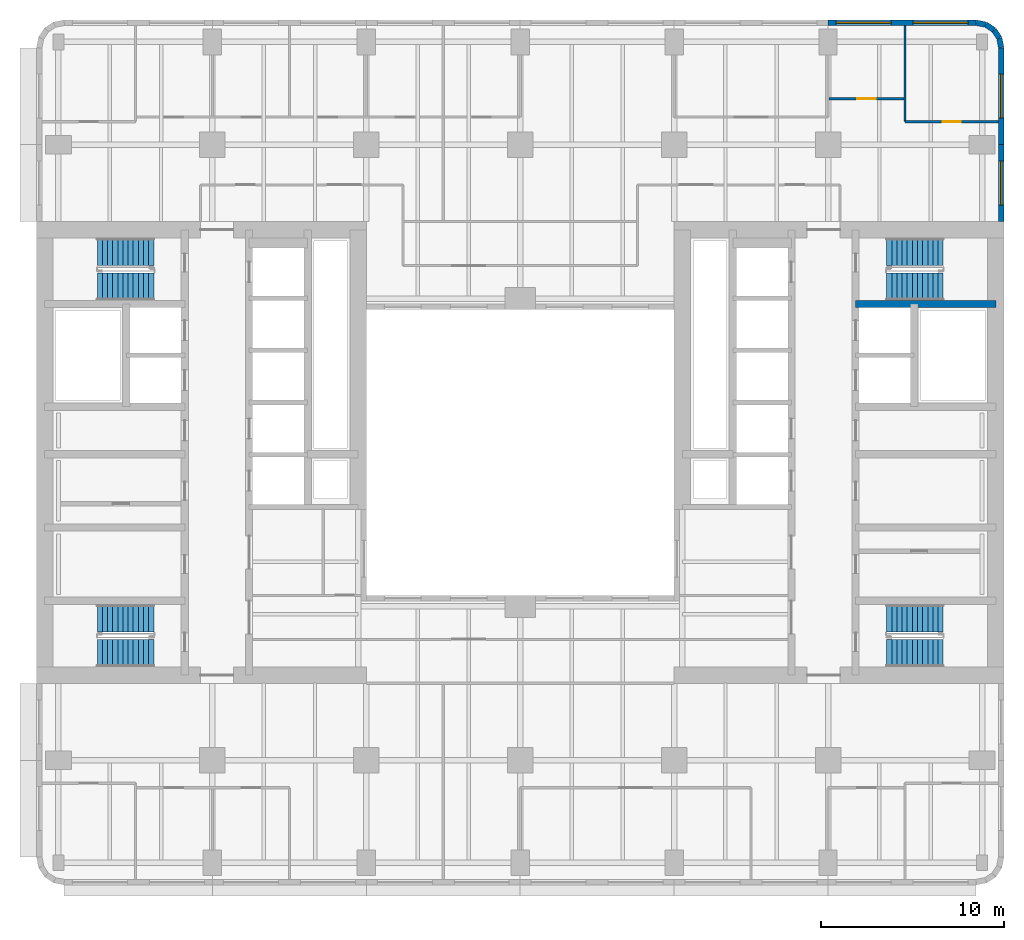
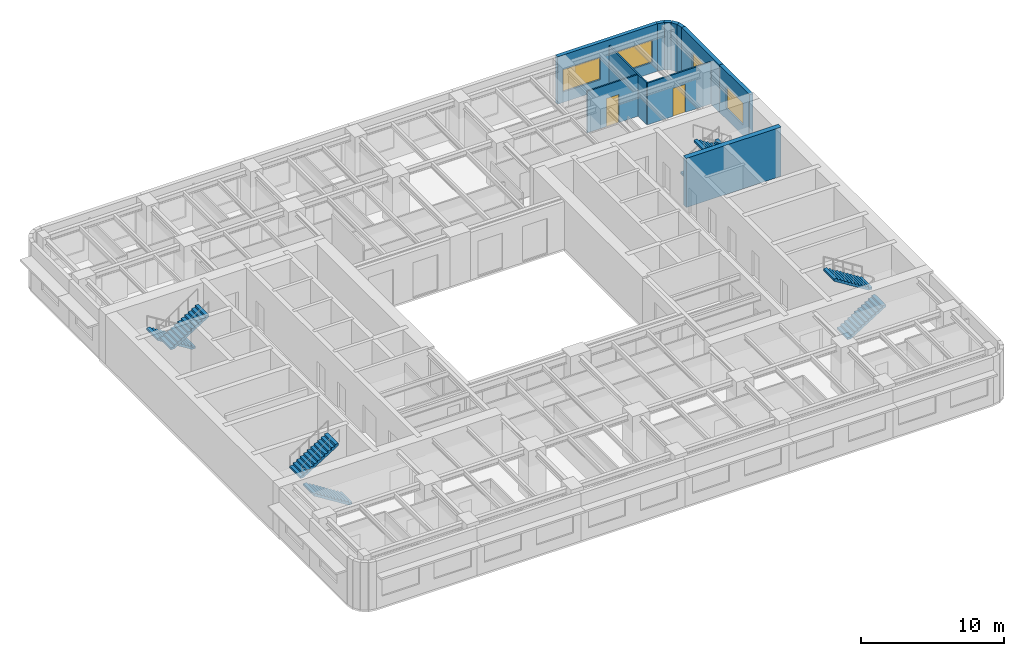
# One storey, part 8 of 11: 11 walls, 8 stair flights, 4 windows, 2 doors, 6 openings, 4 elements without a shape of their own.
"""IFC4 building model written with IfcOpenShell, lengths in metres."""

from ifc_helpers import new_model, si_unit, direction, frame, frame_2d, origin, place, context, subcontext, project, spatial, polyline, rectangle, outline, extrude, material, layer, layer_set, type_object, element, fill, aggregate, save


model = new_model("IFC4")

# Units and contexts
model_context = context("Model", 3, precision=1e-05, world=origin(), true_north=direction((0.0, 1.0)))
body_context = subcontext(model_context, "Body", "Model", "MODEL_VIEW")
ifc_project = project(units=[si_unit("LENGTHUNIT", "METRE"), si_unit("AREAUNIT", "SQUARE_METRE"), si_unit("VOLUMEUNIT", "CUBIC_METRE"), si_unit("PLANEANGLEUNIT", "RADIAN"), si_unit("MASSUNIT", "GRAM", prefix="KILO")], contexts=[model_context])

# Site, building, storey
site_placement = place(None, origin())
site = spatial("IfcSite", under=ifc_project, at=site_placement, CompositionType="ELEMENT")
building_placement = place(site_placement, origin())
building = spatial("IfcBuilding", under=site, at=building_placement, Name="Claustro Exchange Tower", CompositionType="ELEMENT")
storey_placement = place(building_placement, frame((0.0, 0.0, 147.0)))
storey = spatial("IfcBuildingStorey", under=building, at=storey_placement, Name="L33", CompositionType="ELEMENT", Elevation=147.0)

# Wall, opening, door
ifc_material_1 = material(Name="Laminated glass in aluminium frame", Category="aluminium")
ifc_layer_1 = layer(ifc_material_1, 0.1201171875)
ifc_layer_set_1 = layer_set([ifc_layer_1], Name="Laminated glass in aluminium frame")
wall_type_1 = type_object("IfcWallType", Name="P2 120 glazed partition", PredefinedType="PARTITIONING", material=ifc_layer_set_1)
wall_1_placement = place(storey_placement, frame((42.05810546875, 44.5, 0.0), z_axis=(0.0, 0.0, 1.0), x_axis=(1.0, 0.0, 0.0)))
wall_1 = element("IfcWall", 1, at=wall_1_placement, inside=storey, type_object=wall_type_1, Name="Partition P2 L33", PredefinedType="PARTITIONING", context=body_context, shape_type="SweptSolid", body=[
    extrude(rectangle(XDim=4.083984375, YDim=0.1201171875, at=frame_2d((2.0419921875, 0.0))), origin(), (0.0, 0.0, 1.0), 3.550048828125),
])
opening_1_placement = place(wall_1_placement, frame((1.5419921875, 0.0, 0.0)))
opening_1 = element("IfcOpeningElement", 2, at=opening_1_placement, cuts=wall_1, Name="Opening D7", PredefinedType="OPENING", context=body_context, shape_type="SweptSolid", body=[
    extrude(rectangle(XDim=1.0, YDim=2.39990234375, at=frame_2d((0.5, 1.199951171875))), frame((0.0, 0.070068359375, 0.0), z_axis=(0.0, -1.0, 0.0), x_axis=(1.0, 0.0, 0.0)), (0.0, 0.0, 1.0), 0.14013671875),
])
ifc_material_2 = material(Name="Glass door in aluminium frame", Category="aluminium")
door_type = type_object("IfcDoorType", Name="D7 1000 x 2400 glazed door", OperationType="SINGLE_SWING_LEFT", PredefinedType="DOOR", material=ifc_material_2)
door_1_placement = place(opening_1_placement, origin())
door_1 = element("IfcDoor", 3, at=door_1_placement, inside=storey, type_object=door_type, Name="Door D7 L33", OperationType="SINGLE_SWING_LEFT", OverallHeight=2.39990234375, OverallWidth=1.0, PredefinedType="DOOR", context=body_context, shape_type="SweptSolid", body=[
    extrude(rectangle(XDim=1.0, YDim=2.39990234375, at=frame_2d((0.5, 1.199951171875))), frame((0.0, 0.02490234375, 0.0), z_axis=(0.0, -1.0, 0.0), x_axis=(1.0, 0.0, 0.0)), (0.0, 0.0, 1.0), 0.050048828125),
])
fill(opening_1, door_1)

wall_2_placement = place(storey_placement, frame((46.199951171875, 43.25, 0.0), z_axis=(0.0, 0.0, 1.0), x_axis=(1.0, 0.0, 0.0)))
wall_2 = element("IfcWall", 4, at=wall_2_placement, inside=storey, type_object=wall_type_1, Name="Partition P2 L33", PredefinedType="PARTITIONING", context=body_context, shape_type="SweptSolid", body=[
    extrude(rectangle(XDim=5.10205078125, YDim=0.1201171875, at=frame_2d((2.551025390625, 0.0))), origin(), (0.0, 0.0, 1.0), 3.56005859375),
])
opening_2_placement = place(wall_2_placement, frame((2.050048828125, 0.0, 0.0)))
opening_2 = element("IfcOpeningElement", 5, at=opening_2_placement, cuts=wall_2, Name="Opening D7", PredefinedType="OPENING", context=body_context, shape_type="SweptSolid", body=[
    extrude(rectangle(XDim=1.0, YDim=2.39990234375, at=frame_2d((0.5, 1.199951171875))), frame((0.0, 0.070068359375, 0.0), z_axis=(0.0, -1.0, 0.0), x_axis=(1.0, 0.0, 0.0)), (0.0, 0.0, 1.0), 0.14013671875),
])
door_2_placement = place(opening_2_placement, origin())
door_2 = element("IfcDoor", 6, at=door_2_placement, inside=storey, type_object=door_type, Name="Door D7 L33", OperationType="SINGLE_SWING_LEFT", OverallHeight=2.39990234375, OverallWidth=1.0, PredefinedType="DOOR", context=body_context, shape_type="SweptSolid", body=[
    extrude(rectangle(XDim=1.0, YDim=2.39990234375, at=frame_2d((0.5, 1.199951171875))), frame((0.0, 0.02490234375, 0.0), z_axis=(0.0, -1.0, 0.0), x_axis=(1.0, 0.0, 0.0)), (0.0, 0.0, 1.0), 0.050048828125),
])
fill(opening_2, door_2)

# Wall
wall_3_placement = place(storey_placement, frame((46.199951171875, 43.25, 0.0), z_axis=(0.0, 0.0, 1.0), x_axis=(0.0, 1.0, 0.0)))
element("IfcWall", 7, at=wall_3_placement, inside=storey, type_object=wall_type_1, Name="Partition P2 L33", PredefinedType="PARTITIONING", context=body_context, shape_type="SweptSolid", body=[
    extrude(rectangle(XDim=5.251953125, YDim=0.1201171875, at=frame_2d((2.6259765625, 0.0))), origin(), (0.0, 0.0, 1.0), 3.56005859375),
])

# Wall, openings, windows
ifc_material_3 = material(Name="Concrete HA-40 (C40/50), precast, white cement, acid-etched", Category="concrete")
ifc_layer_2 = layer(ifc_material_3, 0.300048828125)
ifc_layer_set_2 = layer_set([ifc_layer_2], Name="Concrete HA-40 (C40/50), precast, white cement, acid-etched")
wall_type_2 = type_object("IfcWallType", Name="PC1 300 precast concrete pier panel", PredefinedType="SOLIDWALL", material=ifc_layer_set_2)
wall_4_placement = place(storey_placement, frame((42.0, 48.64990234375, 0.0), z_axis=(0.0, 0.0, 1.0), x_axis=(1.0, 0.0, 0.0)))
wall_4 = element("IfcWall", 8, at=wall_4_placement, inside=storey, type_object=wall_type_2, Name="Precast pier panel PC1 L33", PredefinedType="SOLIDWALL", context=body_context, shape_type="SweptSolid", body=[
    extrude(rectangle(XDim=8.085205078125, YDim=0.300048828125, at=frame_2d((4.04248046875, 0.0))), origin(), (0.0, 0.0, 1.0), 4.050048828125),
])
opening_3_placement = place(wall_4_placement, frame((0.442626953125, 0.0, 0.89990234375)))
opening_3 = element("IfcOpeningElement", 9, at=opening_3_placement, cuts=wall_4, Name="Opening W1", PredefinedType="OPENING", context=body_context, shape_type="SweptSolid", body=[
    extrude(rectangle(XDim=3.0, YDim=1.89990234375, at=frame_2d((1.5, 0.949951171875))), frame((0.0, 0.159912109375, 0.0), z_axis=(0.0, -1.0, 0.0), x_axis=(1.0, 0.0, 0.0)), (0.0, 0.0, 1.0), 0.320068359375),
])
opening_4_placement = place(wall_4_placement, frame((4.642578125, 0.0, 0.89990234375)))
opening_4 = element("IfcOpeningElement", 10, at=opening_4_placement, cuts=wall_4, Name="Opening W1", PredefinedType="OPENING", context=body_context, shape_type="SweptSolid", body=[
    extrude(rectangle(XDim=3.0, YDim=1.89990234375, at=frame_2d((1.5, 0.949951171875))), frame((0.0, 0.159912109375, 0.0), z_axis=(0.0, -1.0, 0.0), x_axis=(1.0, 0.0, 0.0)), (0.0, 0.0, 1.0), 0.320068359375),
])
ifc_material_4 = material(Name="Aluminium frame, clear double glazing", Category="aluminium")
window_type_1 = type_object("IfcWindowType", Name="W1 3000 x 1900 window", PartitioningType="SINGLE_PANEL", PredefinedType="WINDOW", material=ifc_material_4)
window_1_placement = place(opening_3_placement, origin())
window_1 = element("IfcWindow", 11, at=window_1_placement, inside=storey, type_object=window_type_1, Name="Window W1 L33", OverallHeight=1.89990234375, OverallWidth=3.0, PartitioningType="SINGLE_PANEL", PredefinedType="WINDOW", context=body_context, shape_type="SweptSolid", body=[
    extrude(rectangle(XDim=3.0, YDim=1.89990234375, at=frame_2d((1.5, 0.949951171875))), frame((0.0, 0.030029296875, 0.0), z_axis=(0.0, -1.0, 0.0), x_axis=(1.0, 0.0, 0.0)), (0.0, 0.0, 1.0), 0.06005859375),
])
fill(opening_3, window_1)
window_2_placement = place(opening_4_placement, origin())
window_2 = element("IfcWindow", 12, at=window_2_placement, inside=storey, type_object=window_type_1, Name="Window W1 L33", OverallHeight=1.89990234375, OverallWidth=3.0, PartitioningType="SINGLE_PANEL", PredefinedType="WINDOW", context=body_context, shape_type="SweptSolid", body=[
    extrude(rectangle(XDim=3.0, YDim=1.89990234375, at=frame_2d((1.5, 0.949951171875))), frame((0.0, 0.030029296875, 0.0), z_axis=(0.0, -1.0, 0.0), x_axis=(1.0, 0.0, 0.0)), (0.0, 0.0, 1.0), 0.06005859375),
])
fill(opening_4, window_2)

# Walls
wall_5_placement = place(storey_placement, frame((50.085205078125, 48.64990234375, 0.0), z_axis=(0.0, 0.0, 1.0), x_axis=(0.980788534345, -0.195073962632, 0.0)))
element("IfcWall", 13, at=wall_5_placement, inside=storey, type_object=wall_type_2, Name="Precast pier panel PC1 L33", PredefinedType="SOLIDWALL", context=body_context, shape_type="SweptSolid", body=[
    extrude(rectangle(XDim=0.540771484375, YDim=0.300048828125, at=frame_2d((0.2705078125, 0.0))), origin(), (0.0, 0.0, 1.0), 4.050048828125),
])
wall_6_placement = place(storey_placement, frame((50.615478515625, 48.54443359375, 0.0), z_axis=(0.0, 0.0, 1.0), x_axis=(0.831692711774, -0.555236195849, 0.0)))
element("IfcWall", 14, at=wall_6_placement, inside=storey, type_object=wall_type_2, Name="Precast pier panel PC1 L33", PredefinedType="SOLIDWALL", context=body_context, shape_type="SweptSolid", body=[
    extrude(rectangle(XDim=0.525390625, YDim=0.300048828125, at=frame_2d((0.2626953125, 0.0))), origin(), (0.0, 0.0, 1.0), 4.050048828125),
])
wall_7_placement = place(storey_placement, frame((51.052490234375, 48.252685546875, 0.0), z_axis=(0.0, 0.0, 1.0), x_axis=(0.55534295404, -0.831621430339, 0.0)))
element("IfcWall", 15, at=wall_7_placement, inside=storey, type_object=wall_type_2, Name="Precast pier panel PC1 L33", PredefinedType="SOLIDWALL", context=body_context, shape_type="SweptSolid", body=[
    extrude(rectangle(XDim=0.52587890625, YDim=0.300048828125, at=frame_2d((0.262939453125, 0.0))), origin(), (0.0, 0.0, 1.0), 4.050048828125),
])
wall_8_placement = place(storey_placement, frame((51.344482421875, 47.8154296875, 0.0), z_axis=(0.0, 0.0, 1.0), x_axis=(0.195073962632, -0.980788534345, 0.0)))
element("IfcWall", 16, at=wall_8_placement, inside=storey, type_object=wall_type_2, Name="Precast pier panel PC1 L33", PredefinedType="SOLIDWALL", context=body_context, shape_type="SweptSolid", body=[
    extrude(rectangle(XDim=0.540771484375, YDim=0.300048828125, at=frame_2d((0.2705078125, 0.0))), origin(), (0.0, 0.0, 1.0), 4.050048828125),
])

# Wall, opening, window
wall_9_placement = place(storey_placement, frame((51.449951171875, 47.28515625, 0.0), z_axis=(0.0, 0.0, 1.0), x_axis=(0.0, -1.0, 0.0)))
wall_9 = element("IfcWall", 17, at=wall_9_placement, inside=storey, type_object=wall_type_2, Name="Precast pier panel PC1 L33", PredefinedType="SOLIDWALL", context=body_context, shape_type="SweptSolid", body=[
    extrude(rectangle(XDim=5.28515625, YDim=0.300048828125, at=frame_2d((2.642578125, 0.0))), origin(), (0.0, 0.0, 1.0), 4.050048828125),
])
opening_5_placement = place(wall_9_placement, frame((1.442626953125, 0.0, 0.89990234375)))
opening_5 = element("IfcOpeningElement", 18, at=opening_5_placement, cuts=wall_9, Name="Opening W2", PredefinedType="OPENING", context=body_context, shape_type="SweptSolid", body=[
    extrude(rectangle(XDim=2.39990234375, YDim=1.89990234375, at=frame_2d((1.199951171875, 0.949951171875))), frame((0.0, 0.159912109375, 0.0), z_axis=(0.0, -1.0, 0.0), x_axis=(1.0, 0.0, 0.0)), (0.0, 0.0, 1.0), 0.320068359375),
])
ifc_material_5 = material(Name="Aluminium frame, clear double glazing", Category="aluminium")
window_type_2 = type_object("IfcWindowType", Name="W2 2400 x 1900 window", PartitioningType="SINGLE_PANEL", PredefinedType="WINDOW", material=ifc_material_5)
window_3_placement = place(opening_5_placement, origin())
window_3 = element("IfcWindow", 19, at=window_3_placement, inside=storey, type_object=window_type_2, Name="Window W2 L33", OverallHeight=1.89990234375, OverallWidth=2.39990234375, PartitioningType="SINGLE_PANEL", PredefinedType="WINDOW", context=body_context, shape_type="SweptSolid", body=[
    extrude(rectangle(XDim=2.39990234375, YDim=1.89990234375, at=frame_2d((1.199951171875, 0.949951171875))), frame((0.0, 0.030029296875, 0.0), z_axis=(0.0, -1.0, 0.0), x_axis=(1.0, 0.0, 0.0)), (0.0, 0.0, 1.0), 0.06005859375),
])
fill(opening_5, window_3)

wall_10_placement = place(storey_placement, frame((51.449951171875, 42.0, 0.0), z_axis=(0.0, 0.0, 1.0), x_axis=(0.0, -1.0, 0.0)))
wall_10 = element("IfcWall", 20, at=wall_10_placement, inside=storey, type_object=wall_type_2, Name="Precast pier panel PC1 L33", PredefinedType="SOLIDWALL", context=body_context, shape_type="SweptSolid", body=[
    extrude(rectangle(XDim=4.199951171875, YDim=0.300048828125, at=frame_2d((2.10009765625, 0.0))), origin(), (0.0, 0.0, 1.0), 4.050048828125),
])
opening_6_placement = place(wall_10_placement, frame((0.89990234375, 0.0, 0.89990234375)))
opening_6 = element("IfcOpeningElement", 21, at=opening_6_placement, cuts=wall_10, Name="Opening W2", PredefinedType="OPENING", context=body_context, shape_type="SweptSolid", body=[
    extrude(rectangle(XDim=2.39990234375, YDim=1.89990234375, at=frame_2d((1.199951171875, 0.949951171875))), frame((0.0, 0.159912109375, 0.0), z_axis=(0.0, -1.0, 0.0), x_axis=(1.0, 0.0, 0.0)), (0.0, 0.0, 1.0), 0.320068359375),
])
window_4_placement = place(opening_6_placement, origin())
window_4 = element("IfcWindow", 22, at=window_4_placement, inside=storey, type_object=window_type_2, Name="Window W2 L33", OverallHeight=1.89990234375, OverallWidth=2.39990234375, PartitioningType="SINGLE_PANEL", PredefinedType="WINDOW", context=body_context, shape_type="SweptSolid", body=[
    extrude(rectangle(XDim=2.39990234375, YDim=1.89990234375, at=frame_2d((1.199951171875, 0.949951171875))), frame((0.0, 0.030029296875, 0.0), z_axis=(0.0, -1.0, 0.0), x_axis=(1.0, 0.0, 0.0)), (0.0, 0.0, 1.0), 0.06005859375),
])
fill(opening_6, window_4)

# Wall
ifc_material_6 = material(Name="Concrete HA-50 (C50/60)", Category="concrete")
ifc_layer_3 = layer(ifc_material_6, 0.39990234375)
ifc_layer_set_3 = layer_set([ifc_layer_3], Name="Concrete HA-50 (C50/60)")
wall_type_3 = type_object("IfcWallType", Name="SW4 400 internal core wall", PredefinedType="SHEAR", material=ifc_layer_set_3)
wall_11_placement = place(storey_placement, frame((51.14990234375, 33.300048828125, 0.0), z_axis=(0.0, 0.0, 1.0), x_axis=(-1.0, 0.0, 0.0)))
element("IfcWall", 23, at=wall_11_placement, inside=storey, type_object=wall_type_3, Name="Internal core wall SW4 E core L33", PredefinedType="SHEAR", context=body_context, shape_type="SweptSolid", body=[
    extrude(rectangle(XDim=7.64990234375, YDim=0.39990234375, at=frame_2d((3.824951171875, 0.0))), origin(), (0.0, 0.0, 1.0), 4.199951171875),
])

# Stair, stair flights
ifc_material_7 = material(Name="Concrete HA-30 (C30/37), precast", Category="concrete")
stair_type = type_object("IfcStairType", Name="ST1 half-turn stair, 24 risers of 175", PredefinedType="HALF_TURN_STAIR", material=ifc_material_7)
stair_1_placement = place(storey_placement, origin())
stair_1 = element("IfcStair", 24, at=stair_1_placement, inside=storey, type_object=stair_type, Name="Stair STWA L33", PredefinedType="HALF_TURN_STAIR")
ifc_material_8 = material(Name="Concrete HA-30 (C30/37), precast", Category="concrete")
stair_flight_type = type_object("IfcStairFlightType", Name="SF12A straight flight, 12 risers of 175, 1500 wide", PredefinedType="STRAIGHT", material=ifc_material_8)
stair_flight_1_placement = place(storey_placement, frame((5.199951171875, 14.25, 0.0), z_axis=(0.0, 0.0, 1.0), x_axis=(-1.0, 0.0, 0.0)))
stair_flight_1 = element("IfcStairFlight", 25, at=stair_flight_1_placement, type_object=stair_flight_type, Name="STWA flight 1", NumberOfRisers=12, NumberOfTreads=11, PredefinedType="STRAIGHT", RiserHeight=0.175, TreadLength=0.28, context=body_context, shape_type="SweptSolid", body=[
    extrude(outline(polyline([(0.0, 0.0), (0.0, 0.175048828125), (0.280029296875, 0.175048828125), (0.280029296875, 0.35009765625), (0.56005859375, 0.35009765625), (0.56005859375, 0.52490234375), (0.840087890625, 0.52490234375), (0.840087890625, 0.699951171875), (1.1201171875, 0.699951171875), (1.1201171875, 0.875), (1.39990234375, 0.875), (1.39990234375, 1.050048828125), (1.679931640625, 1.050048828125), (1.679931640625, 1.22509765625), (1.9599609375, 1.22509765625), (1.9599609375, 1.39990234375), (2.239990234375, 1.39990234375), (2.239990234375, 1.574951171875), (2.52001953125, 1.574951171875), (2.52001953125, 1.75), (2.800048828125, 1.75), (2.800048828125, 1.925048828125), (3.080078125, 1.925048828125), (3.080078125, 2.10009765625), (3.080078125, 1.748291015625), (0.28271484375, 0.0), (0.0, 0.0)])), frame((0.0, 0.75, 0.0), z_axis=(0.0, -1.0, 0.0), x_axis=(1.0, 0.0, 0.0)), (0.0, 0.0, 1.0), 1.5),
])
stair_flight_2_placement = place(storey_placement, frame((2.1201171875, 16.14990234375, 2.10009765625), z_axis=(0.0, 0.0, 1.0), x_axis=(1.0, 0.0, 0.0)))
stair_flight_2 = element("IfcStairFlight", 26, at=stair_flight_2_placement, type_object=stair_flight_type, Name="STWA flight 2", NumberOfRisers=12, NumberOfTreads=11, PredefinedType="STRAIGHT", RiserHeight=0.175, TreadLength=0.28, context=body_context, shape_type="SweptSolid", body=[
    extrude(outline(polyline([(0.0, 0.0), (0.0, 0.175048828125), (0.280029296875, 0.175048828125), (0.280029296875, 0.35009765625), (0.56005859375, 0.35009765625), (0.56005859375, 0.52490234375), (0.840087890625, 0.52490234375), (0.840087890625, 0.699951171875), (1.1201171875, 0.699951171875), (1.1201171875, 0.875), (1.39990234375, 0.875), (1.39990234375, 1.050048828125), (1.679931640625, 1.050048828125), (1.679931640625, 1.22509765625), (1.9599609375, 1.22509765625), (1.9599609375, 1.39990234375), (2.239990234375, 1.39990234375), (2.239990234375, 1.574951171875), (2.52001953125, 1.574951171875), (2.52001953125, 1.75), (2.800048828125, 1.75), (2.800048828125, 1.925048828125), (3.080078125, 1.925048828125), (3.080078125, 2.10009765625), (3.080078125, 1.748291015625), (0.28271484375, 0.0), (0.0, 0.0)])), frame((0.0, 0.75, 0.0), z_axis=(0.0, -1.0, 0.0), x_axis=(1.0, 0.0, 0.0)), (0.0, 0.0, 1.0), 1.5),
])
aggregate(stair_1, [stair_flight_1, stair_flight_2])

stair_2_placement = place(storey_placement, origin())
stair_2 = element("IfcStair", 27, at=stair_2_placement, inside=storey, type_object=stair_type, Name="Stair STWB L33", PredefinedType="HALF_TURN_STAIR")
stair_flight_3_placement = place(storey_placement, frame((5.199951171875, 36.14990234375, 0.0), z_axis=(0.0, 0.0, 1.0), x_axis=(-1.0, 0.0, 0.0)))
stair_flight_3 = element("IfcStairFlight", 28, at=stair_flight_3_placement, type_object=stair_flight_type, Name="STWB flight 1", NumberOfRisers=12, NumberOfTreads=11, PredefinedType="STRAIGHT", RiserHeight=0.175, TreadLength=0.28, context=body_context, shape_type="SweptSolid", body=[
    extrude(outline(polyline([(0.0, 0.0), (0.0, 0.175048828125), (0.280029296875, 0.175048828125), (0.280029296875, 0.35009765625), (0.56005859375, 0.35009765625), (0.56005859375, 0.52490234375), (0.840087890625, 0.52490234375), (0.840087890625, 0.699951171875), (1.1201171875, 0.699951171875), (1.1201171875, 0.875), (1.39990234375, 0.875), (1.39990234375, 1.050048828125), (1.679931640625, 1.050048828125), (1.679931640625, 1.22509765625), (1.9599609375, 1.22509765625), (1.9599609375, 1.39990234375), (2.239990234375, 1.39990234375), (2.239990234375, 1.574951171875), (2.52001953125, 1.574951171875), (2.52001953125, 1.75), (2.800048828125, 1.75), (2.800048828125, 1.925048828125), (3.080078125, 1.925048828125), (3.080078125, 2.10009765625), (3.080078125, 1.748291015625), (0.28271484375, 0.0), (0.0, 0.0)])), frame((0.0, 0.75, 0.0), z_axis=(0.0, -1.0, 0.0), x_axis=(1.0, 0.0, 0.0)), (0.0, 0.0, 1.0), 1.5),
])
stair_flight_4_placement = place(storey_placement, frame((2.1201171875, 34.25, 2.10009765625), z_axis=(0.0, 0.0, 1.0), x_axis=(1.0, 0.0, 0.0)))
stair_flight_4 = element("IfcStairFlight", 29, at=stair_flight_4_placement, type_object=stair_flight_type, Name="STWB flight 2", NumberOfRisers=12, NumberOfTreads=11, PredefinedType="STRAIGHT", RiserHeight=0.175, TreadLength=0.28, context=body_context, shape_type="SweptSolid", body=[
    extrude(outline(polyline([(0.0, 0.0), (0.0, 0.175048828125), (0.280029296875, 0.175048828125), (0.280029296875, 0.35009765625), (0.56005859375, 0.35009765625), (0.56005859375, 0.52490234375), (0.840087890625, 0.52490234375), (0.840087890625, 0.699951171875), (1.1201171875, 0.699951171875), (1.1201171875, 0.875), (1.39990234375, 0.875), (1.39990234375, 1.050048828125), (1.679931640625, 1.050048828125), (1.679931640625, 1.22509765625), (1.9599609375, 1.22509765625), (1.9599609375, 1.39990234375), (2.239990234375, 1.39990234375), (2.239990234375, 1.574951171875), (2.52001953125, 1.574951171875), (2.52001953125, 1.75), (2.800048828125, 1.75), (2.800048828125, 1.925048828125), (3.080078125, 1.925048828125), (3.080078125, 2.10009765625), (3.080078125, 1.748291015625), (0.28271484375, 0.0), (0.0, 0.0)])), frame((0.0, 0.75, 0.0), z_axis=(0.0, -1.0, 0.0), x_axis=(1.0, 0.0, 0.0)), (0.0, 0.0, 1.0), 1.5),
])
aggregate(stair_2, [stair_flight_3, stair_flight_4])

stair_3_placement = place(storey_placement, origin())
stair_3 = element("IfcStair", 30, at=stair_3_placement, inside=storey, type_object=stair_type, Name="Stair STEA L33", PredefinedType="HALF_TURN_STAIR")
stair_flight_5_placement = place(storey_placement, frame((45.199951171875, 14.25, 0.0), z_axis=(0.0, 0.0, 1.0), x_axis=(1.0, 0.0, 0.0)))
stair_flight_5 = element("IfcStairFlight", 31, at=stair_flight_5_placement, type_object=stair_flight_type, Name="STEA flight 1", NumberOfRisers=12, NumberOfTreads=11, PredefinedType="STRAIGHT", RiserHeight=0.175, TreadLength=0.28, context=body_context, shape_type="SweptSolid", body=[
    extrude(outline(polyline([(0.0, 0.0), (0.0, 0.175048828125), (0.280029296875, 0.175048828125), (0.280029296875, 0.35009765625), (0.56005859375, 0.35009765625), (0.56005859375, 0.52490234375), (0.840087890625, 0.52490234375), (0.840087890625, 0.699951171875), (1.1201171875, 0.699951171875), (1.1201171875, 0.875), (1.39990234375, 0.875), (1.39990234375, 1.050048828125), (1.679931640625, 1.050048828125), (1.679931640625, 1.22509765625), (1.9599609375, 1.22509765625), (1.9599609375, 1.39990234375), (2.239990234375, 1.39990234375), (2.239990234375, 1.574951171875), (2.52001953125, 1.574951171875), (2.52001953125, 1.75), (2.800048828125, 1.75), (2.800048828125, 1.925048828125), (3.080078125, 1.925048828125), (3.080078125, 2.10009765625), (3.080078125, 1.748291015625), (0.28271484375, 0.0), (0.0, 0.0)])), frame((0.0, 0.75, 0.0), z_axis=(0.0, -1.0, 0.0), x_axis=(1.0, 0.0, 0.0)), (0.0, 0.0, 1.0), 1.5),
])
stair_flight_6_placement = place(storey_placement, frame((48.280029296875, 16.14990234375, 2.10009765625), z_axis=(0.0, 0.0, 1.0), x_axis=(-1.0, 0.0, 0.0)))
stair_flight_6 = element("IfcStairFlight", 32, at=stair_flight_6_placement, type_object=stair_flight_type, Name="STEA flight 2", NumberOfRisers=12, NumberOfTreads=11, PredefinedType="STRAIGHT", RiserHeight=0.175, TreadLength=0.28, context=body_context, shape_type="SweptSolid", body=[
    extrude(outline(polyline([(0.0, 0.0), (0.0, 0.175048828125), (0.280029296875, 0.175048828125), (0.280029296875, 0.35009765625), (0.56005859375, 0.35009765625), (0.56005859375, 0.52490234375), (0.840087890625, 0.52490234375), (0.840087890625, 0.699951171875), (1.1201171875, 0.699951171875), (1.1201171875, 0.875), (1.39990234375, 0.875), (1.39990234375, 1.050048828125), (1.679931640625, 1.050048828125), (1.679931640625, 1.22509765625), (1.9599609375, 1.22509765625), (1.9599609375, 1.39990234375), (2.239990234375, 1.39990234375), (2.239990234375, 1.574951171875), (2.52001953125, 1.574951171875), (2.52001953125, 1.75), (2.800048828125, 1.75), (2.800048828125, 1.925048828125), (3.080078125, 1.925048828125), (3.080078125, 2.10009765625), (3.080078125, 1.748291015625), (0.28271484375, 0.0), (0.0, 0.0)])), frame((0.0, 0.75, 0.0), z_axis=(0.0, -1.0, 0.0), x_axis=(1.0, 0.0, 0.0)), (0.0, 0.0, 1.0), 1.5),
])
aggregate(stair_3, [stair_flight_5, stair_flight_6])

stair_4_placement = place(storey_placement, origin())
stair_4 = element("IfcStair", 33, at=stair_4_placement, inside=storey, type_object=stair_type, Name="Stair STEB L33", PredefinedType="HALF_TURN_STAIR")
stair_flight_7_placement = place(storey_placement, frame((45.199951171875, 36.14990234375, 0.0), z_axis=(0.0, 0.0, 1.0), x_axis=(1.0, 0.0, 0.0)))
stair_flight_7 = element("IfcStairFlight", 34, at=stair_flight_7_placement, type_object=stair_flight_type, Name="STEB flight 1", NumberOfRisers=12, NumberOfTreads=11, PredefinedType="STRAIGHT", RiserHeight=0.175, TreadLength=0.28, context=body_context, shape_type="SweptSolid", body=[
    extrude(outline(polyline([(0.0, 0.0), (0.0, 0.175048828125), (0.280029296875, 0.175048828125), (0.280029296875, 0.35009765625), (0.56005859375, 0.35009765625), (0.56005859375, 0.52490234375), (0.840087890625, 0.52490234375), (0.840087890625, 0.699951171875), (1.1201171875, 0.699951171875), (1.1201171875, 0.875), (1.39990234375, 0.875), (1.39990234375, 1.050048828125), (1.679931640625, 1.050048828125), (1.679931640625, 1.22509765625), (1.9599609375, 1.22509765625), (1.9599609375, 1.39990234375), (2.239990234375, 1.39990234375), (2.239990234375, 1.574951171875), (2.52001953125, 1.574951171875), (2.52001953125, 1.75), (2.800048828125, 1.75), (2.800048828125, 1.925048828125), (3.080078125, 1.925048828125), (3.080078125, 2.10009765625), (3.080078125, 1.748291015625), (0.28271484375, 0.0), (0.0, 0.0)])), frame((0.0, 0.75, 0.0), z_axis=(0.0, -1.0, 0.0), x_axis=(1.0, 0.0, 0.0)), (0.0, 0.0, 1.0), 1.5),
])
stair_flight_8_placement = place(storey_placement, frame((48.280029296875, 34.25, 2.10009765625), z_axis=(0.0, 0.0, 1.0), x_axis=(-1.0, 0.0, 0.0)))
stair_flight_8 = element("IfcStairFlight", 35, at=stair_flight_8_placement, type_object=stair_flight_type, Name="STEB flight 2", NumberOfRisers=12, NumberOfTreads=11, PredefinedType="STRAIGHT", RiserHeight=0.175, TreadLength=0.28, context=body_context, shape_type="SweptSolid", body=[
    extrude(outline(polyline([(0.0, 0.0), (0.0, 0.175048828125), (0.280029296875, 0.175048828125), (0.280029296875, 0.35009765625), (0.56005859375, 0.35009765625), (0.56005859375, 0.52490234375), (0.840087890625, 0.52490234375), (0.840087890625, 0.699951171875), (1.1201171875, 0.699951171875), (1.1201171875, 0.875), (1.39990234375, 0.875), (1.39990234375, 1.050048828125), (1.679931640625, 1.050048828125), (1.679931640625, 1.22509765625), (1.9599609375, 1.22509765625), (1.9599609375, 1.39990234375), (2.239990234375, 1.39990234375), (2.239990234375, 1.574951171875), (2.52001953125, 1.574951171875), (2.52001953125, 1.75), (2.800048828125, 1.75), (2.800048828125, 1.925048828125), (3.080078125, 1.925048828125), (3.080078125, 2.10009765625), (3.080078125, 1.748291015625), (0.28271484375, 0.0), (0.0, 0.0)])), frame((0.0, 0.75, 0.0), z_axis=(0.0, -1.0, 0.0), x_axis=(1.0, 0.0, 0.0)), (0.0, 0.0, 1.0), 1.5),
])
aggregate(stair_4, [stair_flight_7, stair_flight_8])

save(model, "model.ifc")
